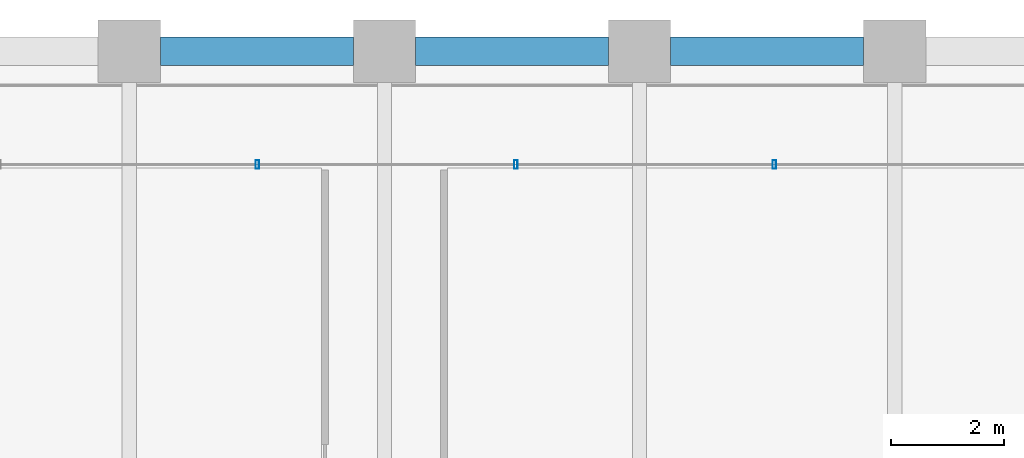
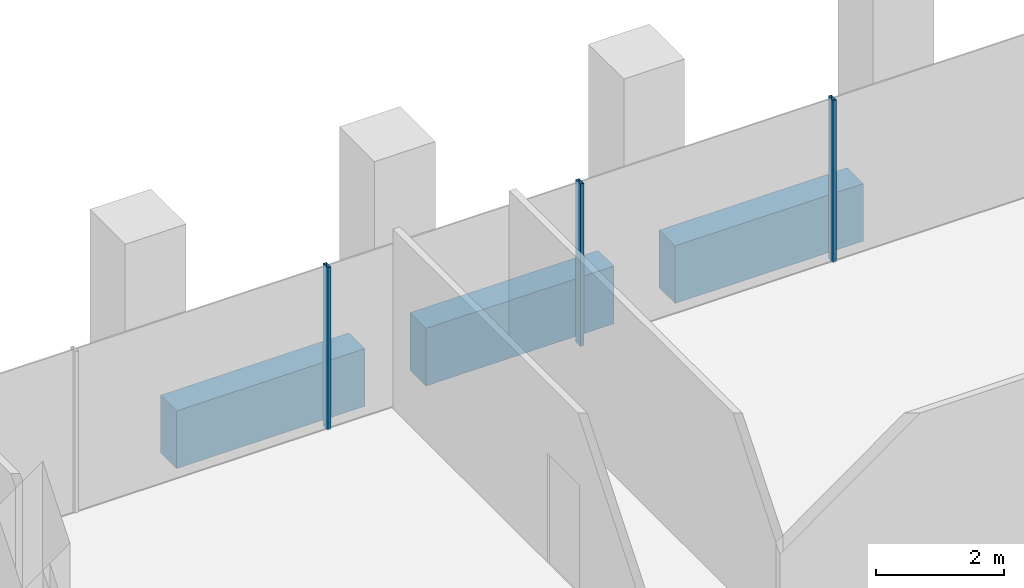
# One storey, part 29 of 54: 3 beams, 3 members, 1 element without a shape of its own.
"""IFC4 building model written with IfcOpenShell, lengths in metres."""

from ifc_helpers import new_model, si_unit, direction, frame, origin, origin_2d, place, context, subcontext, project, spatial, rectangle, hollow_rectangle, extrude, material, material_profile, profile_set, type_object, element, aggregate, save


model = new_model("IFC4")

# Units and contexts
model_context = context("Model", 3, precision=1e-05, world=origin(), true_north=direction((0.0, 1.0)))
body_context = subcontext(model_context, "Body", "Model", "MODEL_VIEW")
ifc_project = project(units=[si_unit("LENGTHUNIT", "METRE"), si_unit("AREAUNIT", "SQUARE_METRE"), si_unit("VOLUMEUNIT", "CUBIC_METRE"), si_unit("PLANEANGLEUNIT", "RADIAN"), si_unit("MASSUNIT", "GRAM", prefix="KILO")], contexts=[model_context])

# Site, building, storey
site_placement = place(None, origin())
site = spatial("IfcSite", under=ifc_project, at=site_placement, CompositionType="ELEMENT")
building_placement = place(site_placement, origin())
building = spatial("IfcBuilding", under=site, at=building_placement, Name="Altepetl Exchange Towers", CompositionType="ELEMENT")
storey_placement = place(building_placement, frame((0.0, 0.0, 61.800048828125)))
storey = spatial("IfcBuildingStorey", under=building, at=storey_placement, Name="L14", CompositionType="ELEMENT", Elevation=61.800048828125)

# Curtain wall, members
ifc_material_1 = material(Name="Aluminium 6063-T6 glazing", Category="aluminium")
curtain_wall_type = type_object("IfcCurtainWallType", Name="Loggia glazing system", PredefinedType="NOTDEFINED", material=ifc_material_1)
curtain_wall_placement = place(storey_placement, origin())
curtain_wall = element("IfcCurtainWall", 1, at=curtain_wall_placement, inside=storey, type_object=curtain_wall_type, Name="CW1 run", PredefinedType="NOTDEFINED")
ifc_material_2 = material(Name="Aluminium 6063-T6", Category="aluminium")
ifc_material_profile_1 = material_profile(ifc_material_2, hollow_rectangle(XDim=0.06005859375, YDim=0.14990234375, WallThickness=0.0029296875, at=origin_2d()), Name="Mullion 60x150 aluminium")
ifc_profile_set_1 = profile_set([ifc_material_profile_1], Name="Aluminium 6063-T6")
member_type = type_object("IfcMemberType", Name="Mullion 60x150 aluminium", PredefinedType="MULLION", material=ifc_profile_set_1)
member_1_placement = place(storey_placement, frame((56.378662109375, 70.0, 0.0), z_axis=(0.0, 0.0, 1.0), x_axis=(-1.0, 0.0, 0.0)))
member_1 = element("IfcMember", 2, at=member_1_placement, type_object=member_type, Name="MU1 mullion", PredefinedType="MULLION", context=body_context, shape_type="SweptSolid", body=[
    extrude(hollow_rectangle(XDim=0.06005859375, YDim=0.14990234375, WallThickness=0.0029296875, at=origin_2d()), origin(), (0.0, 0.0, 1.0), 3.099853515625),
])
member_2_placement = place(storey_placement, frame((51.81787109375, 70.0, 0.0), z_axis=(0.0, 0.0, 1.0), x_axis=(-1.0, 0.0, 0.0)))
member_2 = element("IfcMember", 3, at=member_2_placement, type_object=member_type, Name="MU1 mullion", PredefinedType="MULLION", context=body_context, shape_type="SweptSolid", body=[
    extrude(hollow_rectangle(XDim=0.06005859375, YDim=0.14990234375, WallThickness=0.0029296875, at=origin_2d()), origin(), (0.0, 0.0, 1.0), 3.099853515625),
])
member_3_placement = place(storey_placement, frame((47.257080078125, 70.0, 0.0), z_axis=(0.0, 0.0, 1.0), x_axis=(-1.0, 0.0, 0.0)))
member_3 = element("IfcMember", 4, at=member_3_placement, type_object=member_type, Name="MU1 mullion", PredefinedType="MULLION", context=body_context, shape_type="SweptSolid", body=[
    extrude(hollow_rectangle(XDim=0.06005859375, YDim=0.14990234375, WallThickness=0.0029296875, at=origin_2d()), origin(), (0.0, 0.0, 1.0), 3.099853515625),
])
aggregate(curtain_wall, [member_1, member_2, member_3])

# Beams
ifc_material_3 = material(Name="Concrete C50/60 precast with cantera rosa facing", Category="concrete")
ifc_material_profile_2 = material_profile(ifc_material_3, rectangle(XDim=0.5, YDim=1.10009765625, at=origin_2d()), Name="500 x 1100")
ifc_profile_set_2 = profile_set([ifc_material_profile_2], Name="Concrete C50/60 precast with cantera rosa facing")
beam_type = type_object("IfcBeamType", Name="Spandrel beam 500x1100 cantera rosa", PredefinedType="SPANDREL", material=ifc_profile_set_2)
for number, where, z_axis, x_axis, name in (
    (5, (57.949951171875, 72.0, -0.699951171875), (-1.0, 0.0, 0.0), (0.0, -1.0, 0.0), "sp:A:L14:026"),
    (6, (53.449951171875, 72.0, -0.699951171875), (-1.0, 0.0, 0.0), (0.0, -1.0, 0.0), "sp:A:L14:027"),
    (7, (48.949951171875, 72.0, -0.699951171875), (-1.0, 0.0, 0.0), (0.0, -1.0, 0.0), "sp:A:L14:028"),
):
    element("IfcBeam", number, at=place(storey_placement, frame(where, z_axis=z_axis, x_axis=x_axis)), inside=storey, type_object=beam_type, Name=name, PredefinedType="SPANDREL", context=body_context, shape_type="SweptSolid", body=[
        extrude(rectangle(XDim=0.5, YDim=1.10009765625, at=origin_2d()), origin(), (0.0, 0.0, 1.0), 3.39990234375),
    ])

save(model, "model.ifc")
